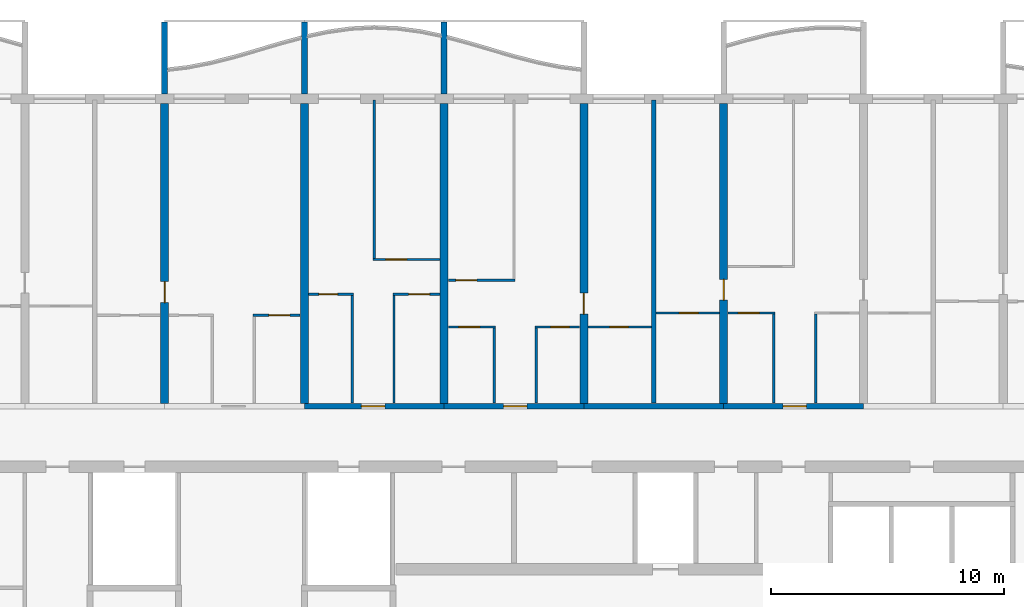
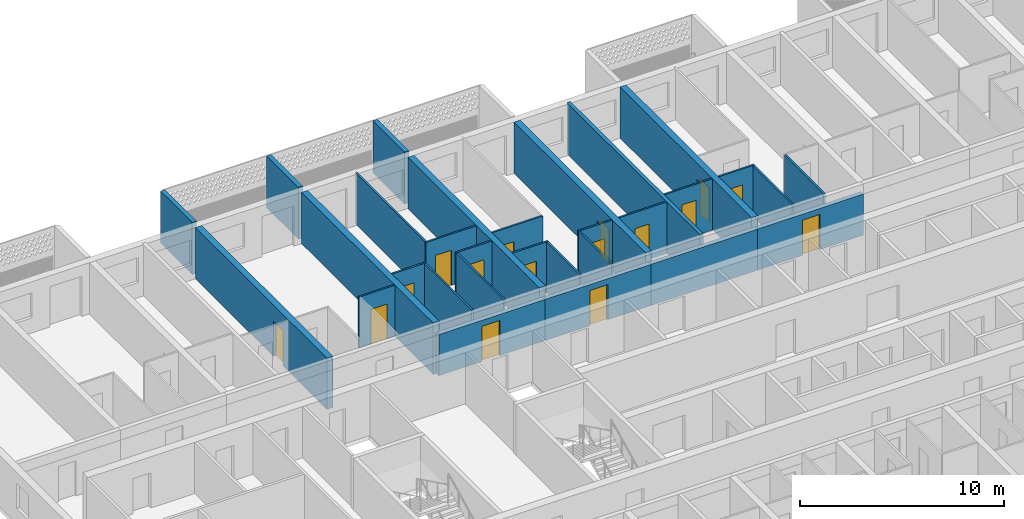
# One storey, part 10 of 29: 30 walls, 16 doors, 16 openings.
"""IFC4 building model written with IfcOpenShell, lengths in metres."""

from ifc_helpers import new_model, si_unit, direction, frame, frame_2d, origin, place, context, subcontext, project, spatial, polyline, rectangle, outline, extrude, source, transform, mapped, material, layer, layer_set, type_object, element, fill, save


model = new_model("IFC4")

# Units and contexts
model_context = context("Model", 3, precision=1e-05, world=origin(), true_north=direction((0.0, 1.0)))
body_context = subcontext(model_context, "Body", "Model", "MODEL_VIEW")
ifc_project = project(units=[si_unit("LENGTHUNIT", "METRE"), si_unit("AREAUNIT", "SQUARE_METRE"), si_unit("VOLUMEUNIT", "CUBIC_METRE"), si_unit("PLANEANGLEUNIT", "RADIAN"), si_unit("MASSUNIT", "GRAM", prefix="KILO")], contexts=[model_context])

# Site, building, storey
site_placement = place(None, origin())
site = spatial("IfcSite", under=ifc_project, at=site_placement, CompositionType="ELEMENT")
building_placement = place(site_placement, origin())
building = spatial("IfcBuilding", under=site, at=building_placement, Name="Poui Terraces", CompositionType="ELEMENT")
storey_placement = place(building_placement, frame((0.0, 0.0, 86.10009765625)))
storey = spatial("IfcBuildingStorey", under=building, at=storey_placement, Name="L23", CompositionType="ELEMENT", Elevation=86.10009765625)

# Wall, opening, door
ifc_material_1 = material(Name="Concrete 65 MPa", Category="concrete")
ifc_layer_1 = layer(ifc_material_1, 0.25)
ifc_layer_set_1 = layer_set([ifc_layer_1], Name="Concrete 65 MPa")
wall_type_1 = type_object("IfcWallType", Name="CORRIDOR WALL 250 65MPa", PredefinedType="SHEAR", material=ifc_layer_set_1)
wall_1_placement = place(storey_placement, frame((30.0, 30.39990234375, 0.0), z_axis=(0.0, 0.0, 1.0), x_axis=(1.0, 0.0, 0.0)))
wall_1 = element("IfcWall", 1, at=wall_1_placement, inside=storey, type_object=wall_type_1, Name="CORRIDOR WALL LINE E BAY 5", PredefinedType="SHEAR", context=body_context, shape_type="SweptSolid", body=[
    extrude(rectangle(XDim=6.0, YDim=0.25, at=frame_2d((3.0, 0.0))), origin(), (0.0, 0.0, 1.0), 2.4599609375),
])
opening_1_placement = place(wall_1_placement, frame((2.449951171875, 0.0, 0.0)))
opening_1 = element("IfcOpeningElement", 2, at=opening_1_placement, cuts=wall_1, Name="Opening FD30S", PredefinedType="OPENING", context=body_context, shape_type="SweptSolid", body=[
    extrude(rectangle(XDim=1.0, YDim=2.10009765625, at=frame_2d((0.5, 1.050048828125))), frame((0.0, 0.135009765625, 0.0), z_axis=(0.0, -1.0, 0.0), x_axis=(1.0, 0.0, 0.0)), (0.0, 0.0, 1.0), 0.27001953125),
])
ifc_material_2 = material(Name="Steel fire door", Category="steel")
door_type_1 = type_object("IfcDoorType", Name="FLAT ENTRANCE DOOR 1000 X 2100", OperationType="NOTDEFINED", PredefinedType="DOOR", material=ifc_material_2)
door_1_placement = place(opening_1_placement, origin())
door_1 = element("IfcDoor", 3, at=door_1_placement, inside=storey, type_object=door_type_1, Name="FLAT ENTRANCE DOOR 044", OperationType="SINGLE_SWING_LEFT", OverallHeight=2.10009765625, OverallWidth=1.0, PredefinedType="DOOR", context=body_context, shape_type="SweptSolid", body=[
    extrude(rectangle(XDim=1.0, YDim=2.10009765625, at=frame_2d((0.5, 1.050048828125))), frame((0.0, 0.02490234375, 0.0), z_axis=(0.0, -1.0, 0.0), x_axis=(1.0, 0.0, 0.0)), (0.0, 0.0, 1.0), 0.050048828125),
])
fill(opening_1, door_1)

wall_2_placement = place(storey_placement, frame((36.0, 30.39990234375, 0.0), z_axis=(0.0, 0.0, 1.0), x_axis=(1.0, 0.0, 0.0)))
wall_2 = element("IfcWall", 4, at=wall_2_placement, inside=storey, type_object=wall_type_1, Name="CORRIDOR WALL LINE E BAY 6", PredefinedType="SHEAR", context=body_context, shape_type="SweptSolid", body=[
    extrude(rectangle(XDim=6.0, YDim=0.25, at=frame_2d((3.0, 0.0))), origin(), (0.0, 0.0, 1.0), 2.4599609375),
])
opening_2_placement = place(wall_2_placement, frame((2.550048828125, 0.0, 0.0)))
opening_2 = element("IfcOpeningElement", 5, at=opening_2_placement, cuts=wall_2, Name="Opening FD30S", PredefinedType="OPENING", context=body_context, shape_type="SweptSolid", body=[
    extrude(rectangle(XDim=1.0, YDim=2.10009765625, at=frame_2d((0.5, 1.050048828125))), frame((0.0, 0.135009765625, 0.0), z_axis=(0.0, -1.0, 0.0), x_axis=(1.0, 0.0, 0.0)), (0.0, 0.0, 1.0), 0.27001953125),
])
door_2_placement = place(opening_2_placement, origin())
door_2 = element("IfcDoor", 6, at=door_2_placement, inside=storey, type_object=door_type_1, Name="FLAT ENTRANCE DOOR 050", OperationType="SINGLE_SWING_RIGHT", OverallHeight=2.10009765625, OverallWidth=1.0, PredefinedType="DOOR", context=body_context, shape_type="SweptSolid", body=[
    extrude(rectangle(XDim=1.0, YDim=2.10009765625, at=frame_2d((0.5, 1.050048828125))), frame((0.0, 0.02490234375, 0.0), z_axis=(0.0, -1.0, 0.0), x_axis=(1.0, 0.0, 0.0)), (0.0, 0.0, 1.0), 0.050048828125),
])
fill(opening_2, door_2)

# Wall
wall_3_placement = place(storey_placement, frame((42.0, 30.39990234375, 0.0), z_axis=(0.0, 0.0, 1.0), x_axis=(1.0, 0.0, 0.0)))
element("IfcWall", 7, at=wall_3_placement, inside=storey, type_object=wall_type_1, Name="CORRIDOR WALL LINE E BAY 7", PredefinedType="SHEAR", context=body_context, shape_type="SweptSolid", body=[
    extrude(rectangle(XDim=6.0, YDim=0.25, at=frame_2d((3.0, 0.0))), origin(), (0.0, 0.0, 1.0), 2.4599609375),
])

# Wall, opening, door
wall_4_placement = place(storey_placement, frame((48.0, 30.39990234375, 0.0), z_axis=(0.0, 0.0, 1.0), x_axis=(1.0, 0.0, 0.0)))
wall_4 = element("IfcWall", 8, at=wall_4_placement, inside=storey, type_object=wall_type_1, Name="CORRIDOR WALL LINE E BAY 8", PredefinedType="SHEAR", context=body_context, shape_type="SweptSolid", body=[
    extrude(rectangle(XDim=6.0, YDim=0.25, at=frame_2d((3.0, 0.0))), origin(), (0.0, 0.0, 1.0), 2.4599609375),
])
opening_3_placement = place(wall_4_placement, frame((2.550048828125, 0.0, 0.0)))
opening_3 = element("IfcOpeningElement", 9, at=opening_3_placement, cuts=wall_4, Name="Opening FD30S", PredefinedType="OPENING", context=body_context, shape_type="SweptSolid", body=[
    extrude(rectangle(XDim=1.0, YDim=2.10009765625, at=frame_2d((0.5, 1.050048828125))), frame((0.0, 0.135009765625, 0.0), z_axis=(0.0, -1.0, 0.0), x_axis=(1.0, 0.0, 0.0)), (0.0, 0.0, 1.0), 0.27001953125),
])
door_3_placement = place(opening_3_placement, origin())
door_3 = element("IfcDoor", 10, at=door_3_placement, inside=storey, type_object=door_type_1, Name="FLAT ENTRANCE DOOR 058", OperationType="SINGLE_SWING_RIGHT", OverallHeight=2.10009765625, OverallWidth=1.0, PredefinedType="DOOR", context=body_context, shape_type="SweptSolid", body=[
    extrude(rectangle(XDim=1.0, YDim=2.10009765625, at=frame_2d((0.5, 1.050048828125))), frame((0.0, 0.02490234375, 0.0), z_axis=(0.0, -1.0, 0.0), x_axis=(1.0, 0.0, 0.0)), (0.0, 0.0, 1.0), 0.050048828125),
])
fill(opening_3, door_3)

ifc_layer_2 = layer(ifc_material_1, 0.35009765625)
ifc_layer_set_2 = layer_set([ifc_layer_2], Name="Concrete 65 MPa")
wall_type_2 = type_object("IfcWallType", Name="CROSS WALL 350 65MPa", PredefinedType="SHEAR", material=ifc_layer_set_2)
wall_5_placement = place(storey_placement, frame((24.0, 30.52490234375, 0.0), z_axis=(0.0, 0.0, 1.0), x_axis=(0.0, 1.0, 0.0)))
wall_5 = element("IfcWall", 11, at=wall_5_placement, inside=storey, type_object=wall_type_2, Name="CROSS WALL LINE 5 NORTH", PredefinedType="SHEAR", context=body_context, shape_type="SweptSolid", body=[
    extrude(rectangle(XDim=12.875, YDim=0.35009765625, at=frame_2d((6.4375, 0.0))), origin(), (0.0, 0.0, 1.0), 3.059814453125),
])
opening_4_placement = place(wall_5_placement, frame((4.324951171875, 0.0, 0.0)))
opening_4 = element("IfcOpeningElement", 12, at=opening_4_placement, cuts=wall_5, Name="Opening D90", PredefinedType="OPENING", context=body_context, shape_type="SweptSolid", body=[
    extrude(rectangle(XDim=0.89990234375, YDim=2.10009765625, at=frame_2d((0.449951171875, 1.050048828125))), frame((0.0, 0.18505859375, 0.0), z_axis=(0.0, -1.0, 0.0), x_axis=(1.0, 0.0, 0.0)), (0.0, 0.0, 1.0), 0.3701171875),
])
ifc_material_3 = material(Name="Solid core timber door", Category="wood")
door_type_2 = type_object("IfcDoorType", Name="INTERNAL DOOR 900 X 2100", OperationType="NOTDEFINED", PredefinedType="DOOR", material=ifc_material_3)
door_4_placement = place(opening_4_placement, origin())
door_4 = element("IfcDoor", 13, at=door_4_placement, inside=storey, type_object=door_type_2, Name="INTERNAL DOOR 039", OperationType="SINGLE_SWING_LEFT", OverallHeight=2.10009765625, OverallWidth=0.89990234375, PredefinedType="DOOR", context=body_context, shape_type="SweptSolid", body=[
    extrude(rectangle(XDim=0.89990234375, YDim=2.10009765625, at=frame_2d((0.449951171875, 1.050048828125))), frame((0.0, 0.02490234375, 0.0), z_axis=(0.0, -1.0, 0.0), x_axis=(1.0, 0.0, 0.0)), (0.0, 0.0, 1.0), 0.050048828125),
])
fill(opening_4, door_4)

# Walls
for number, where, z_axis, x_axis, name in (
    (14, (30.0, 30.52490234375, 0.0), (0.0, 0.0, 1.0), (0.0, 1.0, 0.0), "CROSS WALL LINE 6 NORTH"),
    (15, (36.0, 30.52490234375, 0.0), (0.0, 0.0, 1.0), (0.0, 1.0, 0.0), "CROSS WALL LINE 7 NORTH"),
):
    element("IfcWall", number, at=place(storey_placement, frame(where, z_axis=z_axis, x_axis=x_axis)), inside=storey, type_object=wall_type_2, Name=name, PredefinedType="SHEAR", context=body_context, shape_type="SweptSolid", body=[
        extrude(rectangle(XDim=12.875, YDim=0.35009765625, at=frame_2d((6.4375, 0.0))), origin(), (0.0, 0.0, 1.0), 3.059814453125),
    ])

# Wall, opening, door
wall_6_placement = place(storey_placement, frame((42.0, 30.52490234375, 0.0), z_axis=(0.0, 0.0, 1.0), x_axis=(0.0, 1.0, 0.0)))
wall_6 = element("IfcWall", 16, at=wall_6_placement, inside=storey, type_object=wall_type_2, Name="CROSS WALL LINE 8 NORTH", PredefinedType="SHEAR", context=body_context, shape_type="SweptSolid", body=[
    extrude(rectangle(XDim=12.875, YDim=0.35009765625, at=frame_2d((6.4375, 0.0))), origin(), (0.0, 0.0, 1.0), 3.059814453125),
])
opening_5_placement = place(wall_6_placement, frame((3.824951171875, 0.0, 0.0)))
opening_5 = element("IfcOpeningElement", 17, at=opening_5_placement, cuts=wall_6, Name="Opening D90", PredefinedType="OPENING", context=body_context, shape_type="SweptSolid", body=[
    extrude(rectangle(XDim=0.89990234375, YDim=2.10009765625, at=frame_2d((0.449951171875, 1.050048828125))), frame((0.0, 0.18505859375, 0.0), z_axis=(0.0, -1.0, 0.0), x_axis=(1.0, 0.0, 0.0)), (0.0, 0.0, 1.0), 0.3701171875),
])
door_5_placement = place(opening_5_placement, frame((0.89990234375, 0.0, 0.0), z_axis=(0.0, 0.0, 1.0), x_axis=(-1.0, 0.0, 0.0)))
door_5 = element("IfcDoor", 18, at=door_5_placement, inside=storey, type_object=door_type_2, Name="INTERNAL DOOR 052", OperationType="SINGLE_SWING_RIGHT", OverallHeight=2.10009765625, OverallWidth=0.89990234375, PredefinedType="DOOR", context=body_context, shape_type="SweptSolid", body=[
    extrude(rectangle(XDim=0.89990234375, YDim=2.10009765625, at=frame_2d((0.449951171875, 1.050048828125))), frame((0.0, 0.02490234375, 0.0), z_axis=(0.0, -1.0, 0.0), x_axis=(1.0, 0.0, 0.0)), (0.0, 0.0, 1.0), 0.050048828125),
])
fill(opening_5, door_5)

wall_7_placement = place(storey_placement, frame((48.0, 30.52490234375, 0.0), z_axis=(0.0, 0.0, 1.0), x_axis=(0.0, 1.0, 0.0)))
wall_7 = element("IfcWall", 19, at=wall_7_placement, inside=storey, type_object=wall_type_2, Name="CROSS WALL LINE 9 NORTH", PredefinedType="SHEAR", context=body_context, shape_type="SweptSolid", body=[
    extrude(rectangle(XDim=12.875, YDim=0.35009765625, at=frame_2d((6.4375, 0.0))), origin(), (0.0, 0.0, 1.0), 3.059814453125),
])
opening_6_placement = place(wall_7_placement, frame((4.425048828125, 0.0, 0.0)))
opening_6 = element("IfcOpeningElement", 20, at=opening_6_placement, cuts=wall_7, Name="Opening D90", PredefinedType="OPENING", context=body_context, shape_type="SweptSolid", body=[
    extrude(rectangle(XDim=0.89990234375, YDim=2.10009765625, at=frame_2d((0.449951171875, 1.050048828125))), frame((0.0, 0.18505859375, 0.0), z_axis=(0.0, -1.0, 0.0), x_axis=(1.0, 0.0, 0.0)), (0.0, 0.0, 1.0), 0.3701171875),
])
door_6_placement = place(opening_6_placement, origin())
door_6 = element("IfcDoor", 21, at=door_6_placement, inside=storey, type_object=door_type_2, Name="INTERNAL DOOR 055", OperationType="SINGLE_SWING_LEFT", OverallHeight=2.10009765625, OverallWidth=0.89990234375, PredefinedType="DOOR", context=body_context, shape_type="SweptSolid", body=[
    extrude(rectangle(XDim=0.89990234375, YDim=2.10009765625, at=frame_2d((0.449951171875, 1.050048828125))), frame((0.0, 0.02490234375, 0.0), z_axis=(0.0, -1.0, 0.0), x_axis=(1.0, 0.0, 0.0)), (0.0, 0.0, 1.0), 0.050048828125),
])
fill(opening_6, door_6)

ifc_material_4 = material(Name="Plasterboard partition")
ifc_layer_3 = layer(ifc_material_4, 0.10009765625)
ifc_layer_set_3 = layer_set([ifc_layer_3], Name="Plasterboard partition")
wall_type_3 = type_object("IfcWallType", Name="FLAT PARTITION 100", PredefinedType="PARTITIONING", material=ifc_layer_set_3)
wall_8_placement = place(storey_placement, frame((36.18505859375, 33.800048828125, 0.0), z_axis=(0.0, 0.0, 1.0), x_axis=(1.0, 0.0, 0.0)))
wall_8 = element("IfcWall", 22, at=wall_8_placement, inside=storey, type_object=wall_type_3, Name="FLAT PARTITION 100", PredefinedType="PARTITIONING", context=body_context, shape_type="SweptSolid", body=[
    extrude(rectangle(XDim=2.014892578125, YDim=0.10009765625, at=frame_2d((1.00732421875, 0.0))), origin(), (0.0, 0.0, 1.0), 3.059814453125),
])
opening_7_placement = place(wall_8_placement, frame((0.43994140625, 0.0, 0.0)))
opening_7 = element("IfcOpeningElement", 23, at=opening_7_placement, cuts=wall_8, Name="Opening D90", PredefinedType="OPENING", context=body_context, shape_type="SweptSolid", body=[
    extrude(rectangle(XDim=0.89990234375, YDim=2.10009765625, at=frame_2d((0.449951171875, 1.050048828125))), frame((0.0, 0.06005859375, 0.0), z_axis=(0.0, -1.0, 0.0), x_axis=(1.0, 0.0, 0.0)), (0.0, 0.0, 1.0), 0.1201171875),
])
door_7_placement = place(opening_7_placement, frame((0.89990234375, 0.0, 0.0), z_axis=(0.0, 0.0, 1.0), x_axis=(-1.0, 0.0, 0.0)))
door_7 = element("IfcDoor", 24, at=door_7_placement, inside=storey, type_object=door_type_2, Name="INTERNAL DOOR 049", OperationType="SINGLE_SWING_RIGHT", OverallHeight=2.10009765625, OverallWidth=0.89990234375, PredefinedType="DOOR", context=body_context, shape_type="SweptSolid", body=[
    extrude(rectangle(XDim=0.89990234375, YDim=2.10009765625, at=frame_2d((0.449951171875, 1.050048828125))), frame((0.0, 0.02490234375, 0.0), z_axis=(0.0, -1.0, 0.0), x_axis=(1.0, 0.0, 0.0)), (0.0, 0.0, 1.0), 0.050048828125),
])
fill(opening_7, door_7)

wall_9_placement = place(storey_placement, frame((39.89990234375, 33.800048828125, 0.0), z_axis=(0.0, 0.0, 1.0), x_axis=(1.0, 0.0, 0.0)))
wall_9 = element("IfcWall", 25, at=wall_9_placement, inside=storey, type_object=wall_type_3, Name="FLAT PARTITION 100", PredefinedType="PARTITIONING", context=body_context, shape_type="SweptSolid", body=[
    extrude(rectangle(XDim=1.9150390625, YDim=0.10009765625, at=frame_2d((0.95751953125, 0.0))), origin(), (0.0, 0.0, 1.0), 3.059814453125),
])
opening_8_placement = place(wall_9_placement, frame((0.675048828125, 0.0, 0.0)))
opening_8 = element("IfcOpeningElement", 26, at=opening_8_placement, cuts=wall_9, Name="Opening D80", PredefinedType="OPENING", context=body_context, shape_type="SweptSolid", body=[
    extrude(rectangle(XDim=0.800048828125, YDim=2.10009765625, at=frame_2d((0.39990234375, 1.050048828125))), frame((0.0, 0.06005859375, 0.0), z_axis=(0.0, -1.0, 0.0), x_axis=(1.0, 0.0, 0.0)), (0.0, 0.0, 1.0), 0.1201171875),
])
door_type_3 = type_object("IfcDoorType", Name="BATHROOM, LAUNDRY AND STORE DOOR 800 X 2100", OperationType="NOTDEFINED", PredefinedType="DOOR", material=ifc_material_3)
door_8_placement = place(opening_8_placement, frame((0.800048828125, 0.0, 0.0), z_axis=(0.0, 0.0, 1.0), x_axis=(-1.0, 0.0, 0.0)))
door_8 = element("IfcDoor", 27, at=door_8_placement, inside=storey, type_object=door_type_3, Name="BATHROOM, LAUNDRY AND STORE DOOR 051", OperationType="SINGLE_SWING_LEFT", OverallHeight=2.10009765625, OverallWidth=0.800048828125, PredefinedType="DOOR", context=body_context, shape_type="SweptSolid", body=[
    extrude(rectangle(XDim=0.800048828125, YDim=2.10009765625, at=frame_2d((0.39990234375, 1.050048828125))), frame((0.0, 0.02490234375, 0.0), z_axis=(0.0, -1.0, 0.0), x_axis=(1.0, 0.0, 0.0)), (0.0, 0.0, 1.0), 0.050048828125),
])
fill(opening_8, door_8)

wall_10_placement = place(storey_placement, frame((42.18505859375, 33.800048828125, 0.0), z_axis=(0.0, 0.0, 1.0), x_axis=(1.0, 0.0, 0.0)))
wall_10 = element("IfcWall", 28, at=wall_10_placement, inside=storey, type_object=wall_type_3, Name="FLAT PARTITION 100", PredefinedType="PARTITIONING", context=body_context, shape_type="SweptSolid", body=[
    extrude(rectangle(XDim=2.71484375, YDim=0.10009765625, at=frame_2d((1.357421875, 0.0))), origin(), (0.0, 0.0, 1.0), 3.059814453125),
])
opening_9_placement = place(wall_10_placement, frame((0.9150390625, 0.0, 0.0)))
opening_9 = element("IfcOpeningElement", 29, at=opening_9_placement, cuts=wall_10, Name="Opening D80", PredefinedType="OPENING", context=body_context, shape_type="SweptSolid", body=[
    extrude(rectangle(XDim=0.800048828125, YDim=2.10009765625, at=frame_2d((0.39990234375, 1.050048828125))), frame((0.0, 0.06005859375, 0.0), z_axis=(0.0, -1.0, 0.0), x_axis=(1.0, 0.0, 0.0)), (0.0, 0.0, 1.0), 0.1201171875),
])
door_9_placement = place(opening_9_placement, frame((0.800048828125, 0.0, 0.0), z_axis=(0.0, 0.0, 1.0), x_axis=(-1.0, 0.0, 0.0)))
door_9 = element("IfcDoor", 30, at=door_9_placement, inside=storey, type_object=door_type_3, Name="BATHROOM, LAUNDRY AND STORE DOOR 047", OperationType="SINGLE_SWING_RIGHT", OverallHeight=2.10009765625, OverallWidth=0.800048828125, PredefinedType="DOOR", context=body_context, shape_type="SweptSolid", body=[
    extrude(rectangle(XDim=0.800048828125, YDim=2.10009765625, at=frame_2d((0.39990234375, 1.050048828125))), frame((0.0, 0.02490234375, 0.0), z_axis=(0.0, -1.0, 0.0), x_axis=(1.0, 0.0, 0.0)), (0.0, 0.0, 1.0), 0.050048828125),
])
fill(opening_9, door_9)

wall_11_placement = place(storey_placement, frame((27.800048828125, 34.300048828125, 0.0), z_axis=(0.0, 0.0, 1.0), x_axis=(1.0, 0.0, 0.0)))
wall_11 = element("IfcWall", 31, at=wall_11_placement, inside=storey, type_object=wall_type_3, Name="FLAT PARTITION 100", PredefinedType="PARTITIONING", context=body_context, shape_type="SweptSolid", body=[
    extrude(rectangle(XDim=2.014892578125, YDim=0.10009765625, at=frame_2d((1.00732421875, 0.0))), origin(), (0.0, 0.0, 1.0), 3.059814453125),
])
opening_10_placement = place(wall_11_placement, frame((0.675048828125, 0.0, 0.0)))
opening_10 = element("IfcOpeningElement", 32, at=opening_10_placement, cuts=wall_11, Name="Opening D90", PredefinedType="OPENING", context=body_context, shape_type="SweptSolid", body=[
    extrude(rectangle(XDim=0.89990234375, YDim=2.10009765625, at=frame_2d((0.449951171875, 1.050048828125))), frame((0.0, 0.06005859375, 0.0), z_axis=(0.0, -1.0, 0.0), x_axis=(1.0, 0.0, 0.0)), (0.0, 0.0, 1.0), 0.1201171875),
])
door_10_placement = place(opening_10_placement, frame((0.89990234375, 0.0, 0.0), z_axis=(0.0, 0.0, 1.0), x_axis=(-1.0, 0.0, 0.0)))
door_10 = element("IfcDoor", 33, at=door_10_placement, inside=storey, type_object=door_type_2, Name="INTERNAL DOOR 042", OperationType="SINGLE_SWING_RIGHT", OverallHeight=2.10009765625, OverallWidth=0.89990234375, PredefinedType="DOOR", context=body_context, shape_type="SweptSolid", body=[
    extrude(rectangle(XDim=0.89990234375, YDim=2.10009765625, at=frame_2d((0.449951171875, 1.050048828125))), frame((0.0, 0.02490234375, 0.0), z_axis=(0.0, -1.0, 0.0), x_axis=(1.0, 0.0, 0.0)), (0.0, 0.0, 1.0), 0.050048828125),
])
fill(opening_10, door_10)

wall_12_placement = place(storey_placement, frame((45.10009765625, 34.39990234375, 0.0), z_axis=(0.0, 0.0, 1.0), x_axis=(1.0, 0.0, 0.0)))
wall_12 = element("IfcWall", 34, at=wall_12_placement, inside=storey, type_object=wall_type_3, Name="FLAT PARTITION 100", PredefinedType="PARTITIONING", context=body_context, shape_type="SweptSolid", body=[
    extrude(rectangle(XDim=2.71484375, YDim=0.10009765625, at=frame_2d((1.357421875, 0.0))), origin(), (0.0, 0.0, 1.0), 3.059814453125),
])
opening_11_placement = place(wall_12_placement, frame((1.0, 0.0, 0.0)))
opening_11 = element("IfcOpeningElement", 35, at=opening_11_placement, cuts=wall_12, Name="Opening D80", PredefinedType="OPENING", context=body_context, shape_type="SweptSolid", body=[
    extrude(rectangle(XDim=0.800048828125, YDim=2.10009765625, at=frame_2d((0.39990234375, 1.050048828125))), frame((0.0, 0.06005859375, 0.0), z_axis=(0.0, -1.0, 0.0), x_axis=(1.0, 0.0, 0.0)), (0.0, 0.0, 1.0), 0.1201171875),
])
door_11_placement = place(opening_11_placement, frame((0.800048828125, 0.0, 0.0), z_axis=(0.0, 0.0, 1.0), x_axis=(-1.0, 0.0, 0.0)))
door_11 = element("IfcDoor", 36, at=door_11_placement, inside=storey, type_object=door_type_3, Name="BATHROOM, LAUNDRY AND STORE DOOR 053", OperationType="SINGLE_SWING_LEFT", OverallHeight=2.10009765625, OverallWidth=0.800048828125, PredefinedType="DOOR", context=body_context, shape_type="SweptSolid", body=[
    extrude(rectangle(XDim=0.800048828125, YDim=2.10009765625, at=frame_2d((0.39990234375, 1.050048828125))), frame((0.0, 0.02490234375, 0.0), z_axis=(0.0, -1.0, 0.0), x_axis=(1.0, 0.0, 0.0)), (0.0, 0.0, 1.0), 0.050048828125),
])
fill(opening_11, door_11)

wall_13_placement = place(storey_placement, frame((48.18505859375, 34.39990234375, 0.0), z_axis=(0.0, 0.0, 1.0), x_axis=(1.0, 0.0, 0.0)))
wall_13 = element("IfcWall", 37, at=wall_13_placement, inside=storey, type_object=wall_type_3, Name="FLAT PARTITION 100", PredefinedType="PARTITIONING", context=body_context, shape_type="SweptSolid", body=[
    extrude(rectangle(XDim=2.014892578125, YDim=0.10009765625, at=frame_2d((1.00732421875, 0.0))), origin(), (0.0, 0.0, 1.0), 3.059814453125),
])
opening_12_placement = place(wall_13_placement, frame((0.43994140625, 0.0, 0.0)))
opening_12 = element("IfcOpeningElement", 38, at=opening_12_placement, cuts=wall_13, Name="Opening D90", PredefinedType="OPENING", context=body_context, shape_type="SweptSolid", body=[
    extrude(rectangle(XDim=0.89990234375, YDim=2.10009765625, at=frame_2d((0.449951171875, 1.050048828125))), frame((0.0, 0.06005859375, 0.0), z_axis=(0.0, -1.0, 0.0), x_axis=(1.0, 0.0, 0.0)), (0.0, 0.0, 1.0), 0.1201171875),
])
door_12_placement = place(opening_12_placement, frame((0.89990234375, 0.0, 0.0), z_axis=(0.0, 0.0, 1.0), x_axis=(-1.0, 0.0, 0.0)))
door_12 = element("IfcDoor", 39, at=door_12_placement, inside=storey, type_object=door_type_2, Name="INTERNAL DOOR 056", OperationType="SINGLE_SWING_LEFT", OverallHeight=2.10009765625, OverallWidth=0.89990234375, PredefinedType="DOOR", context=body_context, shape_type="SweptSolid", body=[
    extrude(rectangle(XDim=0.89990234375, YDim=2.10009765625, at=frame_2d((0.449951171875, 1.050048828125))), frame((0.0, 0.02490234375, 0.0), z_axis=(0.0, -1.0, 0.0), x_axis=(1.0, 0.0, 0.0)), (0.0, 0.0, 1.0), 0.050048828125),
])
fill(opening_12, door_12)

wall_14_placement = place(storey_placement, frame((30.18505859375, 35.199951171875, 0.0), z_axis=(0.0, 0.0, 1.0), x_axis=(1.0, 0.0, 0.0)))
wall_14 = element("IfcWall", 40, at=wall_14_placement, inside=storey, type_object=wall_type_3, Name="FLAT PARTITION 100", PredefinedType="PARTITIONING", context=body_context, shape_type="SweptSolid", body=[
    extrude(rectangle(XDim=1.9150390625, YDim=0.10009765625, at=frame_2d((0.95751953125, 0.0))), origin(), (0.0, 0.0, 1.0), 3.059814453125),
])
opening_13_placement = place(wall_14_placement, frame((0.43994140625, 0.0, 0.0)))
opening_13 = element("IfcOpeningElement", 41, at=opening_13_placement, cuts=wall_14, Name="Opening D80", PredefinedType="OPENING", context=body_context, shape_type="SweptSolid", body=[
    extrude(rectangle(XDim=0.800048828125, YDim=2.10009765625, at=frame_2d((0.39990234375, 1.050048828125))), frame((0.0, 0.06005859375, 0.0), z_axis=(0.0, -1.0, 0.0), x_axis=(1.0, 0.0, 0.0)), (0.0, 0.0, 1.0), 0.1201171875),
])
door_13_placement = place(opening_13_placement, frame((0.800048828125, 0.0, 0.0), z_axis=(0.0, 0.0, 1.0), x_axis=(-1.0, 0.0, 0.0)))
door_13 = element("IfcDoor", 42, at=door_13_placement, inside=storey, type_object=door_type_3, Name="BATHROOM, LAUNDRY AND STORE DOOR 043", OperationType="SINGLE_SWING_LEFT", OverallHeight=2.10009765625, OverallWidth=0.800048828125, PredefinedType="DOOR", context=body_context, shape_type="SweptSolid", body=[
    extrude(rectangle(XDim=0.800048828125, YDim=2.10009765625, at=frame_2d((0.39990234375, 1.050048828125))), frame((0.0, 0.02490234375, 0.0), z_axis=(0.0, -1.0, 0.0), x_axis=(1.0, 0.0, 0.0)), (0.0, 0.0, 1.0), 0.050048828125),
])
fill(opening_13, door_13)

wall_15_placement = place(storey_placement, frame((33.800048828125, 35.199951171875, 0.0), z_axis=(0.0, 0.0, 1.0), x_axis=(1.0, 0.0, 0.0)))
wall_15 = element("IfcWall", 43, at=wall_15_placement, inside=storey, type_object=wall_type_3, Name="FLAT PARTITION 100", PredefinedType="PARTITIONING", context=body_context, shape_type="SweptSolid", body=[
    extrude(rectangle(XDim=2.014892578125, YDim=0.10009765625, at=frame_2d((1.00732421875, 0.0))), origin(), (0.0, 0.0, 1.0), 3.059814453125),
])
opening_14_placement = place(wall_15_placement, frame((0.675048828125, 0.0, 0.0)))
opening_14 = element("IfcOpeningElement", 44, at=opening_14_placement, cuts=wall_15, Name="Opening D90", PredefinedType="OPENING", context=body_context, shape_type="SweptSolid", body=[
    extrude(rectangle(XDim=0.89990234375, YDim=2.10009765625, at=frame_2d((0.449951171875, 1.050048828125))), frame((0.0, 0.06005859375, 0.0), z_axis=(0.0, -1.0, 0.0), x_axis=(1.0, 0.0, 0.0)), (0.0, 0.0, 1.0), 0.1201171875),
])
door_14_placement = place(opening_14_placement, frame((0.89990234375, 0.0, 0.0), z_axis=(0.0, 0.0, 1.0), x_axis=(-1.0, 0.0, 0.0)))
door_14 = element("IfcDoor", 45, at=door_14_placement, inside=storey, type_object=door_type_2, Name="INTERNAL DOOR 046", OperationType="SINGLE_SWING_RIGHT", OverallHeight=2.10009765625, OverallWidth=0.89990234375, PredefinedType="DOOR", context=body_context, shape_type="SweptSolid", body=[
    extrude(rectangle(XDim=0.89990234375, YDim=2.10009765625, at=frame_2d((0.449951171875, 1.050048828125))), frame((0.0, 0.02490234375, 0.0), z_axis=(0.0, -1.0, 0.0), x_axis=(1.0, 0.0, 0.0)), (0.0, 0.0, 1.0), 0.050048828125),
])
fill(opening_14, door_14)

wall_16_placement = place(storey_placement, frame((36.18505859375, 35.800048828125, 0.0), z_axis=(0.0, 0.0, 1.0), x_axis=(1.0, 0.0, 0.0)))
wall_16 = element("IfcWall", 46, at=wall_16_placement, inside=storey, type_object=wall_type_3, Name="FLAT PARTITION 100", PredefinedType="PARTITIONING", context=body_context, shape_type="SweptSolid", body=[
    extrude(rectangle(XDim=2.864990234375, YDim=0.10009765625, at=frame_2d((1.4326171875, 0.0))), origin(), (0.0, 0.0, 1.0), 3.059814453125),
])
opening_15_placement = place(wall_16_placement, frame((0.31494140625, 0.0, 0.0)))
opening_15 = element("IfcOpeningElement", 47, at=opening_15_placement, cuts=wall_16, Name="Opening D90", PredefinedType="OPENING", context=body_context, shape_type="SweptSolid", body=[
    extrude(rectangle(XDim=0.89990234375, YDim=2.10009765625, at=frame_2d((0.449951171875, 1.050048828125))), frame((0.0, 0.06005859375, 0.0), z_axis=(0.0, -1.0, 0.0), x_axis=(1.0, 0.0, 0.0)), (0.0, 0.0, 1.0), 0.1201171875),
])
door_15_placement = place(opening_15_placement, frame((0.89990234375, 0.0, 0.0), z_axis=(0.0, 0.0, 1.0), x_axis=(-1.0, 0.0, 0.0)))
door_15 = element("IfcDoor", 48, at=door_15_placement, inside=storey, type_object=door_type_2, Name="INTERNAL DOOR 048", OperationType="SINGLE_SWING_LEFT", OverallHeight=2.10009765625, OverallWidth=0.89990234375, PredefinedType="DOOR", context=body_context, shape_type="SweptSolid", body=[
    extrude(rectangle(XDim=0.89990234375, YDim=2.10009765625, at=frame_2d((0.449951171875, 1.050048828125))), frame((0.0, 0.02490234375, 0.0), z_axis=(0.0, -1.0, 0.0), x_axis=(1.0, 0.0, 0.0)), (0.0, 0.0, 1.0), 0.050048828125),
])
fill(opening_15, door_15)

wall_17_placement = place(storey_placement, frame((32.949951171875, 36.699951171875, 0.0), z_axis=(0.0, 0.0, 1.0), x_axis=(1.0, 0.0, 0.0)))
wall_17 = element("IfcWall", 49, at=wall_17_placement, inside=storey, type_object=wall_type_3, Name="FLAT PARTITION 100", PredefinedType="PARTITIONING", context=body_context, shape_type="SweptSolid", body=[
    extrude(rectangle(XDim=2.864990234375, YDim=0.10009765625, at=frame_2d((1.4326171875, 0.0))), origin(), (0.0, 0.0, 1.0), 3.059814453125),
])
opening_16_placement = place(wall_17_placement, frame((0.550048828125, 0.0, 0.0)))
opening_16 = element("IfcOpeningElement", 50, at=opening_16_placement, cuts=wall_17, Name="Opening D90", PredefinedType="OPENING", context=body_context, shape_type="SweptSolid", body=[
    extrude(rectangle(XDim=0.89990234375, YDim=2.10009765625, at=frame_2d((0.449951171875, 1.050048828125))), frame((0.0, 0.06005859375, 0.0), z_axis=(0.0, -1.0, 0.0), x_axis=(1.0, 0.0, 0.0)), (0.0, 0.0, 1.0), 0.1201171875),
])
door_16_placement = place(opening_16_placement, frame((0.89990234375, 0.0, 0.0), z_axis=(0.0, 0.0, 1.0), x_axis=(-1.0, 0.0, 0.0)))
door_16 = element("IfcDoor", 51, at=door_16_placement, inside=storey, type_object=door_type_2, Name="INTERNAL DOOR 045", OperationType="SINGLE_SWING_LEFT", OverallHeight=2.10009765625, OverallWidth=0.89990234375, PredefinedType="DOOR", context=body_context, shape_type="SweptSolid", body=[
    extrude(rectangle(XDim=0.89990234375, YDim=2.10009765625, at=frame_2d((0.449951171875, 1.050048828125))), frame((0.0, 0.02490234375, 0.0), z_axis=(0.0, -1.0, 0.0), x_axis=(1.0, 0.0, 0.0)), (0.0, 0.0, 1.0), 0.050048828125),
])
fill(opening_16, door_16)

# Walls
wall_18_placement = place(storey_placement, frame((32.050048828125, 30.534912109375, 0.0), z_axis=(0.0, 0.0, 1.0), x_axis=(0.0, 1.0, 0.0)))
element("IfcWall", 52, at=wall_18_placement, inside=storey, type_object=wall_type_3, Name="FLAT PARTITION 100", PredefinedType="PARTITIONING", context=body_context, shape_type="SweptSolid", body=[
    extrude(rectangle(XDim=4.614990234375, YDim=0.10009765625, at=frame_2d((2.3076171875, 0.0))), origin(), (0.0, 0.0, 1.0), 3.059814453125),
])
wall_19_placement = place(storey_placement, frame((33.0, 36.75, 0.0), z_axis=(0.0, 0.0, 1.0), x_axis=(0.0, 1.0, 0.0)))
element("IfcWall", 53, at=wall_19_placement, inside=storey, type_object=wall_type_3, Name="FLAT PARTITION 100", PredefinedType="PARTITIONING", context=body_context, shape_type="SweptSolid", body=[
    extrude(rectangle(XDim=6.7900390625, YDim=0.10009765625, at=frame_2d((3.39501953125, 0.0))), origin(), (0.0, 0.0, 1.0), 3.059814453125),
])
wall_20_placement = place(storey_placement, frame((33.85009765625, 30.534912109375, 0.0), z_axis=(0.0, 0.0, 1.0), x_axis=(0.0, 1.0, 0.0)))
element("IfcWall", 54, at=wall_20_placement, inside=storey, type_object=wall_type_3, Name="FLAT PARTITION 100", PredefinedType="PARTITIONING", context=body_context, shape_type="SweptSolid", body=[
    extrude(rectangle(XDim=4.614990234375, YDim=0.10009765625, at=frame_2d((2.3076171875, 0.0))), origin(), (0.0, 0.0, 1.0), 3.059814453125),
])
for number, where, z_axis, x_axis, name in (
    (55, (38.14990234375, 30.534912109375, 0.0), (0.0, 0.0, 1.0), (0.0, 1.0, 0.0), "FLAT PARTITION 100"),
    (56, (39.949951171875, 30.534912109375, 0.0), (0.0, 0.0, 1.0), (0.0, 1.0, 0.0), "FLAT PARTITION 100"),
):
    element("IfcWall", number, at=place(storey_placement, frame(where, z_axis=z_axis, x_axis=x_axis)), inside=storey, type_object=wall_type_3, Name=name, PredefinedType="PARTITIONING", context=body_context, shape_type="SweptSolid", body=[
        extrude(rectangle(XDim=3.215087890625, YDim=0.10009765625, at=frame_2d((1.607421875, 0.0))), origin(), (0.0, 0.0, 1.0), 3.059814453125),
    ])
for number, where, z_axis, x_axis, name in (
    (57, (50.14990234375, 30.534912109375, 0.0), (0.0, 0.0, 1.0), (0.0, 1.0, 0.0), "FLAT PARTITION 100"),
    (58, (51.949951171875, 30.534912109375, 0.0), (0.0, 0.0, 1.0), (0.0, 1.0, 0.0), "FLAT PARTITION 100"),
):
    element("IfcWall", number, at=place(storey_placement, frame(where, z_axis=z_axis, x_axis=x_axis)), inside=storey, type_object=wall_type_3, Name=name, PredefinedType="PARTITIONING", context=body_context, shape_type="SweptSolid", body=[
        extrude(rectangle(XDim=3.815185546875, YDim=0.10009765625, at=frame_2d((1.90771484375, 0.0))), origin(), (0.0, 0.0, 1.0), 3.059814453125),
    ])
ifc_material_5 = material(Name="Fire-rated masonry wall", Category="masonry")
ifc_layer_4 = layer(ifc_material_5, 0.199951171875)
ifc_layer_set_4 = layer_set([ifc_layer_4], Name="Fire-rated masonry wall")
wall_type_4 = type_object("IfcWallType", Name="FLAT PARTY WALL 200", PredefinedType="PARTITIONING", material=ifc_layer_set_4)
wall_21_placement = place(storey_placement, frame((45.0, 30.534912109375, 0.0), z_axis=(0.0, 0.0, 1.0), x_axis=(0.0, 1.0, 0.0)))
element("IfcWall", 59, at=wall_21_placement, inside=storey, type_object=wall_type_4, Name="FLAT PARTY WALL 200", PredefinedType="PARTITIONING", context=body_context, shape_type="SweptSolid", body=[
    extrude(rectangle(XDim=13.005126953125, YDim=0.199951171875, at=frame_2d((6.50244140625, 0.0))), origin(), (0.0, 0.0, 1.0), 3.059814453125),
])
ifc_material_6 = material(Name="Precast concrete 40 MPa", Category="concrete")
ifc_layer_5 = layer(ifc_material_6, 0.25)
ifc_layer_set_5 = layer_set([ifc_layer_5], Name="Precast concrete 40 MPa")
wall_type_5 = type_object("IfcWallType", Name="BALCONY FIN 250", PredefinedType="STANDARD", material=ifc_layer_set_5)
shared_shape = source(origin(), body_context, "Body", "SweptSolid", [
    extrude(outline(polyline([(0.0, 0.0), (0.25, 0.0), (0.25, 3.099853515625), (0.0, 3.099853515625), (0.0, 0.0)])), origin(), (0.0, 0.0, 1.0), 3.099853515625),
])
for number, where, name in (
    (60, (23.875, 43.800048828125, 0.0), "BALCONY FIN"),
    (61, (29.875, 43.800048828125, 0.0), "BALCONY FIN"),
    (62, (35.875, 43.800048828125, 0.0), "BALCONY FIN"),
):
    element("IfcWall", number, at=place(storey_placement, frame(where)), inside=storey, type_object=wall_type_5, Name=name, PredefinedType="STANDARD", context=body_context, shape_type="MappedRepresentation", body=[
        mapped(shared_shape, transform((0.0, 0.0, 0.0))),
    ])

save(model, "model.ifc")
